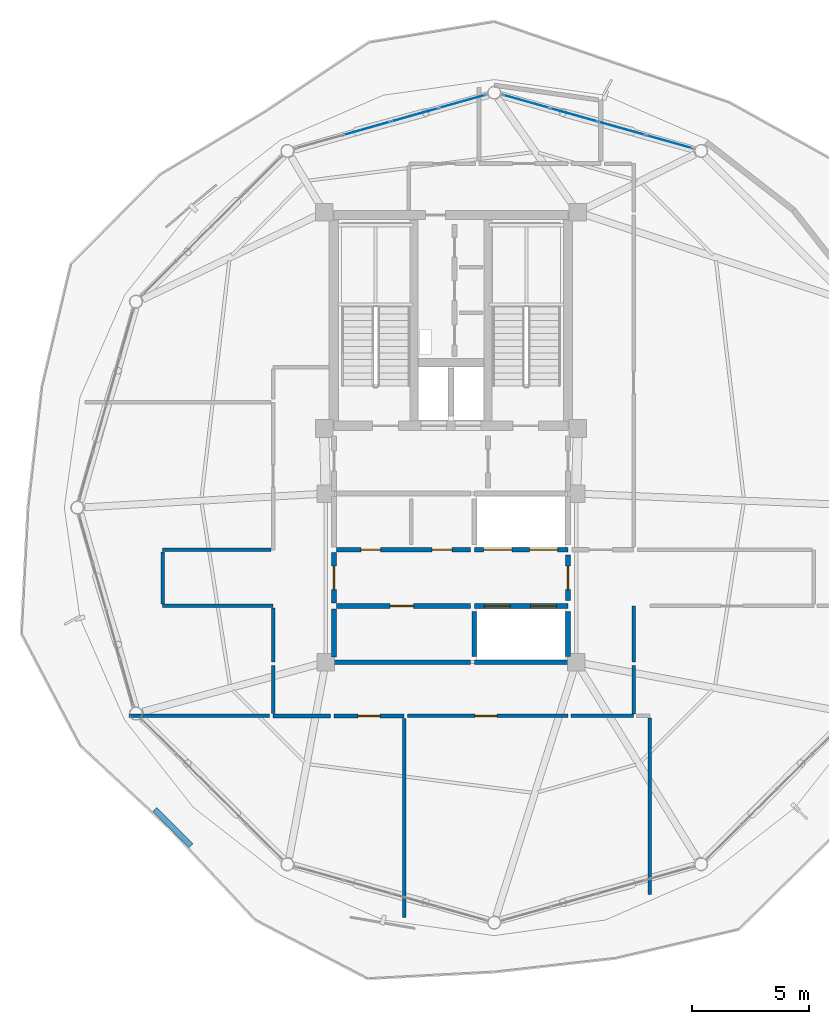
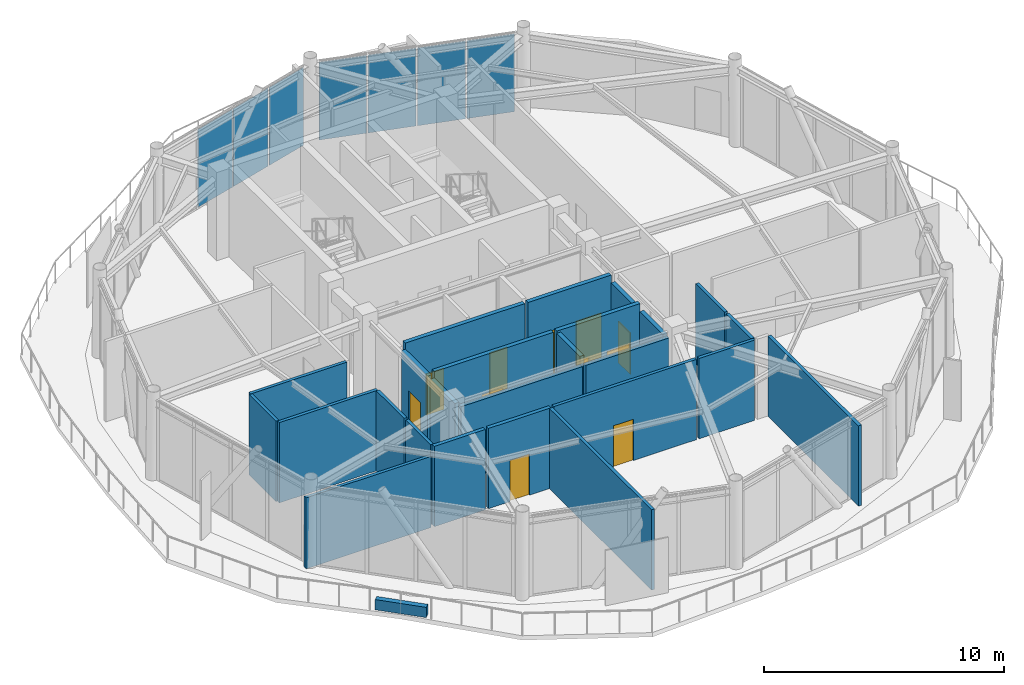
# One storey, part 18 of 24: 26 walls, 11 doors, 7 plates, 11 openings, 2 elements without a shape of their own.
"""IFC4 building model written with IfcOpenShell, lengths in metres."""

from ifc_helpers import new_model, si_unit, direction, frame, frame_2d, origin, origin_2d, place, context, subcontext, project, spatial, rectangle, extrude, source, transform, mapped, material, layer, layer_set, type_object, type_shapes, element, fill, aggregate, save


model = new_model("IFC4")

# Units and contexts
model_context = context("Model", 3, precision=1e-05, world=origin(), true_north=direction((0.0, 1.0)))
body_context = subcontext(model_context, "Body", "Model", "MODEL_VIEW")
ifc_project = project(units=[si_unit("LENGTHUNIT", "METRE"), si_unit("AREAUNIT", "SQUARE_METRE"), si_unit("VOLUMEUNIT", "CUBIC_METRE"), si_unit("PLANEANGLEUNIT", "RADIAN"), si_unit("MASSUNIT", "GRAM", prefix="KILO")], contexts=[model_context])

# Site, building, storey
site_placement = place(None, origin())
site = spatial("IfcSite", under=ifc_project, at=site_placement, CompositionType="ELEMENT")
building_placement = place(site_placement, origin())
building = spatial("IfcBuilding", under=site, at=building_placement, Name="Varnakorn Sky Granary", CompositionType="ELEMENT")
storey_placement = place(building_placement, frame((0.0, 0.0, 285.0)))
storey = spatial("IfcBuildingStorey", under=building, at=storey_placement, Name="L73", CompositionType="ELEMENT", Elevation=285.0)

# Curtain wall, plates
ifc_material_1 = material(Name="Anodised Bronze Aluminium Alloy 6063-T6", Category="aluminium")
ifc_layer_1 = layer(ifc_material_1, 0.159912109375, Name="Anodised Bronze Aluminium Alloy 6063-T6")
ifc_layer_set_1 = layer_set([ifc_layer_1], Name="Anodised Bronze Aluminium Alloy 6063-T6")
curtain_wall_type = type_object("IfcCurtainWallType", Name="CW-OFF-1", PredefinedType="USERDEFINED", material=ifc_layer_set_1)
curtain_wall_1_placement = place(storey_placement, origin())
curtain_wall_1 = element("IfcCurtainWall", 1, at=curtain_wall_1_placement, inside=storey, type_object=curtain_wall_type, Name="Unitised Curtain Wall CW6 CW-L73-B03", ObjectType="CURTAIN WALL", PredefinedType="USERDEFINED")
ifc_material_2 = material(Name="Low-E Tinted Laminated Glass", Category="glass")
ifc_layer_2 = layer(ifc_material_2, 0.02392578125, Name="Low-E Tinted Laminated Glass")
ifc_layer_set_2 = layer_set([ifc_layer_2], Name="Low-E Tinted Laminated Glass")
plate_type = type_object("IfcPlateType", Name="CW-OFF-1-PNL", PredefinedType="CURTAIN_PANEL")
shared_shape_1 = source(origin(), body_context, "Body", "SweptSolid", [
    extrude(rectangle(XDim=2.029296875, YDim=0.02392578125, at=origin_2d()), origin(), (0.0, 0.0, 1.0), 3.949951171875),
])
plate_1_placement = place(storey_placement, frame((6.2158203125, 17.348876953125, 0.06494140625), z_axis=(0.0, 0.0, 1.0), x_axis=(0.962474477397, -0.271372217369, 0.0)))
plate_1 = element("IfcPlate", 2, at=plate_1_placement, type_object=plate_type, material=ifc_layer_set_2, Name="CW6 vision glazing unit 1.1", PredefinedType="CURTAIN_PANEL", context=body_context, shape_type="MappedRepresentation", body=[
    mapped(shared_shape_1, transform((0.0, 0.0, 0.0), x_axis=(1.0, 0.0, 0.0), y_axis=(0.0, 1.0, 0.0), z_axis=(0.0, 0.0, 1.0), scale=1.0)),
])
plate_2_placement = place(storey_placement, frame((12.32568359375, 15.626220703125, 0.06494140625), z_axis=(0.0, 0.0, 1.0), x_axis=(0.962474477397, -0.271372217369, 0.0)))
plate_2 = element("IfcPlate", 3, at=plate_2_placement, type_object=plate_type, material=ifc_layer_set_2, Name="CW6 vision glazing unit 4.1", PredefinedType="CURTAIN_PANEL", context=body_context, shape_type="MappedRepresentation", body=[
    mapped(shared_shape_1, transform((0.0, 0.0, 0.0), x_axis=(1.0, 0.0, 0.0), y_axis=(0.0, 1.0, 0.0), z_axis=(0.0, 0.0, 1.0), scale=1.0)),
])

# Curtain wall, plate
curtain_wall_2_placement = place(storey_placement, origin())
curtain_wall_2 = element("IfcCurtainWall", 4, at=curtain_wall_2_placement, inside=storey, type_object=curtain_wall_type, Name="Unitised Curtain Wall CW6 CW-L73-B04", ObjectType="CURTAIN WALL", PredefinedType="USERDEFINED")
plate_3_placement = place(storey_placement, frame((3.484130859375, 17.348876953125, 0.06494140625), z_axis=(0.0, 0.0, 1.0), x_axis=(0.962474477397, 0.271372217369, 0.0)))
plate_3 = element("IfcPlate", 5, at=plate_3_placement, type_object=plate_type, material=ifc_layer_set_2, Name="CW6 vision glazing unit 4.1", PredefinedType="CURTAIN_PANEL", context=body_context, shape_type="MappedRepresentation", body=[
    mapped(shared_shape_1, transform((0.0, 0.0, 0.0), x_axis=(1.0, 0.0, 0.0), y_axis=(0.0, 1.0, 0.0), z_axis=(0.0, 0.0, 1.0), scale=1.0)),
])

# Plate
ifc_material_3 = material(Name="Opaque Insulated Aluminium Shadow-Box Unit", Category="aluminium")
ifc_layer_3 = layer(ifc_material_3, 0.02392578125, Name="Opaque Insulated Aluminium Shadow-Box Unit")
ifc_layer_set_3 = layer_set([ifc_layer_3], Name="Opaque Insulated Aluminium Shadow-Box Unit")
shared_shape_2 = source(origin(), body_context, "Body", "SweptSolid", [
    extrude(rectangle(XDim=2.061767578125, YDim=0.02392578125, at=origin_2d()), origin(), (0.0, 0.0, 1.0), 3.949951171875),
])
type_shapes(plate_type, [shared_shape_1, shared_shape_2])
plate_4_placement = place(storey_placement, frame((8.247314453125, 16.776123046875, 0.06494140625), z_axis=(0.0, 0.0, 1.0), x_axis=(0.962474477397, -0.271372217369, 0.0)))
plate_4 = element("IfcPlate", 6, at=plate_4_placement, type_object=plate_type, material=ifc_layer_set_3, Name="CW6 opaque insulated shadow-box unit 2.1", PredefinedType="CURTAIN_PANEL", context=body_context, shape_type="MappedRepresentation", body=[
    mapped(shared_shape_2, transform((0.0, 0.0, 0.0), x_axis=(1.0, 0.0, 0.0), y_axis=(0.0, 1.0, 0.0), z_axis=(0.0, 0.0, 1.0), scale=1.0)),
])

plate_5_placement = place(storey_placement, frame((10.294189453125, 16.198974609375, 0.06494140625), z_axis=(0.0, 0.0, 1.0), x_axis=(0.962474477397, -0.271372217369, 0.0)))
plate_5 = element("IfcPlate", 7, at=plate_5_placement, type_object=plate_type, material=ifc_layer_set_3, Name="CW6 opaque insulated shadow-box unit 3.1", PredefinedType="CURTAIN_PANEL", context=body_context, shape_type="MappedRepresentation", body=[
    mapped(shared_shape_2, transform((0.0, 0.0, 0.0), x_axis=(1.0, 0.0, 0.0), y_axis=(0.0, 1.0, 0.0), z_axis=(0.0, 0.0, 1.0), scale=1.0)),
])

aggregate(curtain_wall_1, [plate_1, plate_4, plate_5, plate_2])

plate_6_placement = place(storey_placement, frame((-0.59423828125, 16.198974609375, 0.06494140625), z_axis=(0.0, 0.0, 1.0), x_axis=(0.962474477397, 0.271372217369, 0.0)))
plate_6 = element("IfcPlate", 8, at=plate_6_placement, type_object=plate_type, material=ifc_layer_set_3, Name="CW6 opaque insulated shadow-box unit 2.1", PredefinedType="CURTAIN_PANEL", context=body_context, shape_type="MappedRepresentation", body=[
    mapped(shared_shape_2, transform((0.0, 0.0, 0.0), x_axis=(1.0, 0.0, 0.0), y_axis=(0.0, 1.0, 0.0), z_axis=(0.0, 0.0, 1.0), scale=1.0)),
])

plate_7_placement = place(storey_placement, frame((1.45263671875, 16.776123046875, 0.06494140625), z_axis=(0.0, 0.0, 1.0), x_axis=(0.962474477397, 0.271372217369, 0.0)))
plate_7 = element("IfcPlate", 9, at=plate_7_placement, type_object=plate_type, material=ifc_layer_set_3, Name="CW6 opaque insulated shadow-box unit 3.1", PredefinedType="CURTAIN_PANEL", context=body_context, shape_type="MappedRepresentation", body=[
    mapped(shared_shape_2, transform((0.0, 0.0, 0.0), x_axis=(1.0, 0.0, 0.0), y_axis=(0.0, 1.0, 0.0), z_axis=(0.0, 0.0, 1.0), scale=1.0)),
])

aggregate(curtain_wall_2, [plate_6, plate_7, plate_3])

# Wall, opening, door
ifc_material_4 = material(Name="Autoclaved Aerated Concrete Blockwork", Category="masonry")
ifc_layer_4 = layer(ifc_material_4, 0.199951171875, Name="Autoclaved Aerated Concrete Blockwork")
ifc_layer_set_4 = layer_set([ifc_layer_4], Name="Autoclaved Aerated Concrete Blockwork")
wall_type_1 = type_object("IfcWallType", Name="WT-FIRE-200", PredefinedType="MOVABLE", material=ifc_layer_set_4)
wall_1_placement = place(storey_placement, frame((-2.0, -4.080078125, 0.0), z_axis=(0.0, 0.0, 1.0), x_axis=(0.0, 1.0, 0.0)))
wall_1 = element("IfcWall", 10, at=wall_1_placement, inside=storey, type_object=wall_type_1, Name="Interior Partition Wall L73-014", PredefinedType="MOVABLE", context=body_context, shape_type="SweptSolid", body=[
    extrude(rectangle(XDim=2.16015625, YDim=0.199951171875, at=frame_2d((1.080078125, 0.0))), origin(), (0.0, 0.0, 1.0), 3.7919921875),
])
opening_1_placement = place(wall_1_placement, frame((0.580078125, 0.0, 0.0)))
opening_1 = element("IfcOpeningElement", 11, at=opening_1_placement, cuts=wall_1, Name="Opening FD-60", PredefinedType="OPENING", context=body_context, shape_type="SweptSolid", body=[
    extrude(rectangle(XDim=1.0, YDim=2.10009765625, at=frame_2d((0.5, 1.050048828125))), frame((0.0, 0.10986328125, 0.0), z_axis=(0.0, -1.0, 0.0), x_axis=(1.0, 0.0, 0.0)), (0.0, 0.0, 1.0), 0.219970703125),
])
ifc_material_5 = material(Name="Acoustic Timber Fire Leaf", Category="wood")
door_type_1 = type_object("IfcDoorType", Name="DR-FD60-1000", OperationType="NOTDEFINED", PredefinedType="DOOR", material=ifc_material_5)
door_1_placement = place(opening_1_placement, origin())
door_1 = element("IfcDoor", 12, at=door_1_placement, inside=storey, type_object=door_type_1, Name="Interior Door L73-014-1", OperationType="SINGLE_SWING_LEFT", OverallHeight=2.10009765625, OverallWidth=1.0, PredefinedType="DOOR", context=body_context, shape_type="SweptSolid", body=[
    extrude(rectangle(XDim=1.0, YDim=2.10009765625, at=frame_2d((0.5, 1.050048828125))), frame((0.0, 0.02490234375, 0.0), z_axis=(0.0, -1.0, 0.0), x_axis=(1.0, 0.0, 0.0)), (0.0, 0.0, 1.0), 0.050048828125),
])
fill(opening_1, door_1)

wall_2_placement = place(storey_placement, frame((8.0, -3.969970703125, 0.0), z_axis=(0.0, 0.0, 1.0), x_axis=(0.0, 1.0, 0.0)))
wall_2 = element("IfcWall", 13, at=wall_2_placement, inside=storey, type_object=wall_type_1, Name="Interior Partition Wall L73-015", PredefinedType="MOVABLE", context=body_context, shape_type="SweptSolid", body=[
    extrude(rectangle(XDim=1.93994140625, YDim=0.199951171875, at=frame_2d((0.969970703125, 0.0))), origin(), (0.0, 0.0, 1.0), 3.7919921875),
])
opening_2_placement = place(wall_2_placement, frame((0.469970703125, 0.0, 0.0)))
opening_2 = element("IfcOpeningElement", 14, at=opening_2_placement, cuts=wall_2, Name="Opening FD-60", PredefinedType="OPENING", context=body_context, shape_type="SweptSolid", body=[
    extrude(rectangle(XDim=1.0, YDim=2.10009765625, at=frame_2d((0.5, 1.050048828125))), frame((0.0, 0.10986328125, 0.0), z_axis=(0.0, -1.0, 0.0), x_axis=(1.0, 0.0, 0.0)), (0.0, 0.0, 1.0), 0.219970703125),
])
door_2_placement = place(opening_2_placement, origin())
door_2 = element("IfcDoor", 15, at=door_2_placement, inside=storey, type_object=door_type_1, Name="Interior Door L73-015-1", OperationType="SINGLE_SWING_RIGHT", OverallHeight=2.10009765625, OverallWidth=1.0, PredefinedType="DOOR", context=body_context, shape_type="SweptSolid", body=[
    extrude(rectangle(XDim=1.0, YDim=2.10009765625, at=frame_2d((0.5, 1.050048828125))), frame((0.0, 0.02490234375, 0.0), z_axis=(0.0, -1.0, 0.0), x_axis=(1.0, 0.0, 0.0)), (0.0, 0.0, 1.0), 0.050048828125),
])
fill(opening_2, door_2)

# Wall, openings, doors
wall_3_placement = place(storey_placement, frame((-1.889892578125, -1.800048828125, 0.0), z_axis=(0.0, 0.0, 1.0), x_axis=(1.0, 0.0, 0.0)))
wall_3 = element("IfcWall", 16, at=wall_3_placement, inside=storey, type_object=wall_type_1, Name="Interior Partition Wall L73-016", PredefinedType="MOVABLE", context=body_context, shape_type="SweptSolid", body=[
    extrude(rectangle(XDim=5.72998046875, YDim=0.199951171875, at=frame_2d((2.864990234375, 0.0))), origin(), (0.0, 0.0, 1.0), 4.080078125),
])
opening_3_placement = place(wall_3_placement, frame((1.0400390625, 0.0, 0.0)))
opening_3 = element("IfcOpeningElement", 17, at=opening_3_placement, cuts=wall_3, Name="Opening FD-60N", PredefinedType="OPENING", context=body_context, shape_type="SweptSolid", body=[
    extrude(rectangle(XDim=0.85009765625, YDim=2.10009765625, at=frame_2d((0.425048828125, 1.050048828125))), frame((0.0, 0.10986328125, 0.0), z_axis=(0.0, -1.0, 0.0), x_axis=(1.0, 0.0, 0.0)), (0.0, 0.0, 1.0), 0.219970703125),
])
opening_4_placement = place(wall_3_placement, frame((4.090087890625, 0.0, 0.0)))
opening_4 = element("IfcOpeningElement", 18, at=opening_4_placement, cuts=wall_3, Name="Opening FD-60N", PredefinedType="OPENING", context=body_context, shape_type="SweptSolid", body=[
    extrude(rectangle(XDim=0.85009765625, YDim=2.10009765625, at=frame_2d((0.425048828125, 1.050048828125))), frame((0.0, 0.10986328125, 0.0), z_axis=(0.0, -1.0, 0.0), x_axis=(1.0, 0.0, 0.0)), (0.0, 0.0, 1.0), 0.219970703125),
])
door_type_2 = type_object("IfcDoorType", Name="DR-FD60-850", OperationType="NOTDEFINED", PredefinedType="DOOR", material=ifc_material_5)
door_3_placement = place(opening_3_placement, origin())
door_3 = element("IfcDoor", 19, at=door_3_placement, inside=storey, type_object=door_type_2, Name="Interior Door L73-016-1", OperationType="SINGLE_SWING_LEFT", OverallHeight=2.10009765625, OverallWidth=0.85009765625, PredefinedType="DOOR", context=body_context, shape_type="SweptSolid", body=[
    extrude(rectangle(XDim=0.85009765625, YDim=2.10009765625, at=frame_2d((0.425048828125, 1.050048828125))), frame((0.0, 0.02490234375, 0.0), z_axis=(0.0, -1.0, 0.0), x_axis=(1.0, 0.0, 0.0)), (0.0, 0.0, 1.0), 0.050048828125),
])
fill(opening_3, door_3)
door_4_placement = place(opening_4_placement, origin())
door_4 = element("IfcDoor", 20, at=door_4_placement, inside=storey, type_object=door_type_2, Name="Interior Door L73-016-2", OperationType="SINGLE_SWING_RIGHT", OverallHeight=2.10009765625, OverallWidth=0.85009765625, PredefinedType="DOOR", context=body_context, shape_type="SweptSolid", body=[
    extrude(rectangle(XDim=0.85009765625, YDim=2.10009765625, at=frame_2d((0.425048828125, 1.050048828125))), frame((0.0, 0.02490234375, 0.0), z_axis=(0.0, -1.0, 0.0), x_axis=(1.0, 0.0, 0.0)), (0.0, 0.0, 1.0), 0.050048828125),
])
fill(opening_4, door_4)

# Wall, opening, door
wall_4_placement = place(storey_placement, frame((-1.889892578125, -4.199951171875, 0.0), z_axis=(0.0, 0.0, 1.0), x_axis=(1.0, 0.0, 0.0)))
wall_4 = element("IfcWall", 21, at=wall_4_placement, inside=storey, type_object=wall_type_1, Name="Interior Partition Wall L73-017", PredefinedType="MOVABLE", context=body_context, shape_type="SweptSolid", body=[
    extrude(rectangle(XDim=5.72998046875, YDim=0.199951171875, at=frame_2d((2.864990234375, 0.0))), origin(), (0.0, 0.0, 1.0), 4.080078125),
])
opening_5_placement = place(wall_4_placement, frame((2.2900390625, 0.0, 0.0)))
opening_5 = element("IfcOpeningElement", 22, at=opening_5_placement, cuts=wall_4, Name="Opening FD-60", PredefinedType="OPENING", context=body_context, shape_type="SweptSolid", body=[
    extrude(rectangle(XDim=1.0, YDim=2.10009765625, at=frame_2d((0.5, 1.050048828125))), frame((0.0, 0.10986328125, 0.0), z_axis=(0.0, -1.0, 0.0), x_axis=(1.0, 0.0, 0.0)), (0.0, 0.0, 1.0), 0.219970703125),
])
door_5_placement = place(opening_5_placement, origin())
door_5 = element("IfcDoor", 23, at=door_5_placement, inside=storey, type_object=door_type_1, Name="Interior Door L73-017-1", OperationType="SINGLE_SWING_LEFT", OverallHeight=2.10009765625, OverallWidth=1.0, PredefinedType="DOOR", context=body_context, shape_type="SweptSolid", body=[
    extrude(rectangle(XDim=1.0, YDim=2.10009765625, at=frame_2d((0.5, 1.050048828125))), frame((0.0, 0.02490234375, 0.0), z_axis=(0.0, -1.0, 0.0), x_axis=(1.0, 0.0, 0.0)), (0.0, 0.0, 1.0), 0.050048828125),
])
fill(opening_5, door_5)

# Walls
wall_5_placement = place(storey_placement, frame((-2.0, -6.60009765625, 0.0), z_axis=(0.0, 0.0, 1.0), x_axis=(1.0, 0.0, 0.0)))
element("IfcWall", 24, at=wall_5_placement, inside=storey, type_object=wall_type_1, Name="Interior Partition Wall L73-031", PredefinedType="MOVABLE", context=body_context, shape_type="SweptSolid", body=[
    extrude(rectangle(XDim=5.840087890625, YDim=0.199951171875, at=frame_2d((2.919921875, 0.0))), origin(), (0.0, 0.0, 1.0), 3.7919921875),
])
wall_6_placement = place(storey_placement, frame((-2.0, -6.3701171875, 0.0), z_axis=(0.0, 0.0, 1.0), x_axis=(0.0, 1.0, 0.0)))
element("IfcWall", 25, at=wall_6_placement, inside=storey, type_object=wall_type_1, Name="Interior Partition Wall L73-032", PredefinedType="MOVABLE", context=body_context, shape_type="SweptSolid", body=[
    extrude(rectangle(XDim=2.050048828125, YDim=0.199951171875, at=frame_2d((1.02490234375, 0.0))), origin(), (0.0, 0.0, 1.0), 3.7919921875),
])

# Wall, opening, door
ifc_material_6 = material(Name="Gypsum Plasterboard on Steel Stud", Category="steel")
ifc_layer_5 = layer(ifc_material_6, 0.14990234375, Name="Gypsum Plasterboard on Steel Stud")
ifc_layer_set_5 = layer_set([ifc_layer_5], Name="Gypsum Plasterboard on Steel Stud")
wall_type_2 = type_object("IfcWallType", Name="WT-PART-150", PredefinedType="PARTITIONING", material=ifc_layer_set_5)
wall_7_placement = place(storey_placement, frame((1.14990234375, -8.89990234375, 0.0), z_axis=(0.0, 0.0, 1.0), x_axis=(1.0, 0.0, 0.0)))
wall_7 = element("IfcWall", 26, at=wall_7_placement, inside=storey, type_object=wall_type_2, Name="Interior Partition Wall L73-021", PredefinedType="PARTITIONING", context=body_context, shape_type="SweptSolid", body=[
    extrude(rectangle(XDim=6.85009765625, YDim=0.14990234375, at=frame_2d((3.425048828125, 0.0))), origin(), (0.0, 0.0, 1.0), 4.080078125),
])
opening_6_placement = place(wall_7_placement, frame((2.875, 0.0, 0.0)))
opening_6 = element("IfcOpeningElement", 27, at=opening_6_placement, cuts=wall_7, Name="Opening ID-95", PredefinedType="OPENING", context=body_context, shape_type="SweptSolid", body=[
    extrude(rectangle(XDim=0.949951171875, YDim=2.10009765625, at=frame_2d((0.47509765625, 1.050048828125))), frame((0.0, 0.0849609375, 0.0), z_axis=(0.0, -1.0, 0.0), x_axis=(1.0, 0.0, 0.0)), (0.0, 0.0, 1.0), 0.169921875),
])
ifc_material_7 = material(Name="Solid-Core Teak Veneer Leaf", Category="timber")
door_type_3 = type_object("IfcDoorType", Name="DR-INT-950", OperationType="NOTDEFINED", PredefinedType="DOOR", material=ifc_material_7)
door_6_placement = place(opening_6_placement, origin())
door_6 = element("IfcDoor", 28, at=door_6_placement, inside=storey, type_object=door_type_3, Name="Interior Door L73-021-1", OperationType="SINGLE_SWING_LEFT", OverallHeight=2.10009765625, OverallWidth=0.949951171875, PredefinedType="DOOR", context=body_context, shape_type="SweptSolid", body=[
    extrude(rectangle(XDim=0.949951171875, YDim=2.10009765625, at=frame_2d((0.47509765625, 1.050048828125))), frame((0.0, 0.02490234375, 0.0), z_axis=(0.0, -1.0, 0.0), x_axis=(1.0, 0.0, 0.0)), (0.0, 0.0, 1.0), 0.050048828125),
])
fill(opening_6, door_6)

# Walls
wall_8_placement = place(storey_placement, frame((1.0, -9.0, 0.0), z_axis=(0.0, 0.0, 1.0), x_axis=(0.0, -1.0, 0.0)))
element("IfcWall", 29, at=wall_8_placement, inside=storey, type_object=wall_type_2, Name="Interior Partition Wall L73-035", PredefinedType="PARTITIONING", context=body_context, shape_type="SweptSolid", body=[
    extrude(rectangle(XDim=8.501953125, YDim=0.14990234375, at=frame_2d((4.2509765625, 0.0))), origin(), (0.0, 0.0, 1.0), 4.080078125),
])
wall_9_placement = place(storey_placement, frame((-10.756103515625, -8.89990234375, 0.0), z_axis=(0.0, 0.0, 1.0), x_axis=(1.0, 0.0, 0.0)))
element("IfcWall", 30, at=wall_9_placement, inside=storey, type_object=wall_type_2, Name="Interior Partition Wall L73-036", PredefinedType="PARTITIONING", context=body_context, shape_type="SweptSolid", body=[
    extrude(rectangle(XDim=6.006103515625, YDim=0.14990234375, at=frame_2d((3.0029296875, 0.0))), origin(), (0.0, 0.0, 1.0), 3.612060546875),
])
wall_10_placement = place(storey_placement, frame((8.135009765625, -8.89990234375, 0.0), z_axis=(0.0, 0.0, 1.0), x_axis=(1.0, 0.0, 0.0)))
element("IfcWall", 31, at=wall_10_placement, inside=storey, type_object=wall_type_2, Name="Interior Partition Wall L73-037", PredefinedType="PARTITIONING", context=body_context, shape_type="SweptSolid", body=[
    extrude(rectangle(XDim=2.6650390625, YDim=0.14990234375, at=frame_2d((1.33251953125, 0.0))), origin(), (0.0, 0.0, 1.0), 4.080078125),
])
wall_11_placement = place(storey_placement, frame((11.5, -8.985107421875, 0.0), z_axis=(0.0, 0.0, 1.0), x_axis=(0.0, -1.0, 0.0)))
element("IfcWall", 32, at=wall_11_placement, inside=storey, type_object=wall_type_2, Name="Interior Partition Wall L73-039", PredefinedType="PARTITIONING", context=body_context, shape_type="SweptSolid", body=[
    extrude(rectangle(XDim=7.544921875, YDim=0.14990234375, at=frame_2d((3.7724609375, 0.0))), origin(), (0.0, 0.0, 1.0), 4.080078125),
])
wall_12_placement = place(storey_placement, frame((10.800048828125, -6.60009765625, 0.0), z_axis=(0.0, 0.0, 1.0), x_axis=(0.0, 1.0, 0.0)))
element("IfcWall", 33, at=wall_12_placement, inside=storey, type_object=wall_type_2, Name="Interior Partition Wall L73-040", PredefinedType="PARTITIONING", context=body_context, shape_type="SweptSolid", body=[
    extrude(rectangle(XDim=2.400146484375, YDim=0.14990234375, at=frame_2d((1.2001953125, 0.0))), origin(), (0.0, 0.0, 1.0), 4.080078125),
])
wall_13_placement = place(storey_placement, frame((10.800048828125, -8.81494140625, 0.0), z_axis=(0.0, 0.0, 1.0), x_axis=(0.0, 1.0, 0.0)))
element("IfcWall", 34, at=wall_13_placement, inside=storey, type_object=wall_type_2, Name="Interior Partition Wall L73-041", PredefinedType="PARTITIONING", context=body_context, shape_type="SweptSolid", body=[
    extrude(rectangle(XDim=2.079833984375, YDim=0.14990234375, at=frame_2d((1.0400390625, 0.0))), origin(), (0.0, 0.0, 1.0), 4.080078125),
])
wall_14_placement = place(storey_placement, frame((-4.68505859375, -1.800048828125, 0.0), z_axis=(0.0, 0.0, 1.0), x_axis=(-1.0, 0.0, 0.0)))
element("IfcWall", 35, at=wall_14_placement, inside=storey, type_object=wall_type_2, Name="Interior Partition Wall L73-043", PredefinedType="PARTITIONING", context=body_context, shape_type="SweptSolid", body=[
    extrude(rectangle(XDim=4.633056640625, YDim=0.14990234375, at=frame_2d((2.31640625, 0.0))), origin(), (0.0, 0.0, 1.0), 4.080078125),
])
wall_15_placement = place(storey_placement, frame((-9.318115234375, -4.199951171875, 0.0), z_axis=(0.0, 0.0, 1.0), x_axis=(1.0, 0.0, 0.0)))
element("IfcWall", 36, at=wall_15_placement, inside=storey, type_object=wall_type_2, Name="Interior Partition Wall L73-044", PredefinedType="PARTITIONING", context=body_context, shape_type="SweptSolid", body=[
    extrude(rectangle(XDim=4.718017578125, YDim=0.14990234375, at=frame_2d((2.35888671875, 0.0))), origin(), (0.0, 0.0, 1.0), 4.080078125),
])
wall_16_placement = place(storey_placement, frame((-9.318115234375, -1.885009765625, 0.0), z_axis=(0.0, 0.0, 1.0), x_axis=(0.0, -1.0, 0.0)))
element("IfcWall", 37, at=wall_16_placement, inside=storey, type_object=wall_type_2, Name="Interior Partition Wall L73-045", PredefinedType="PARTITIONING", context=body_context, shape_type="SweptSolid", body=[
    extrude(rectangle(XDim=2.22998046875, YDim=0.14990234375, at=frame_2d((1.114990234375, 0.0))), origin(), (0.0, 0.0, 1.0), 4.080078125),
])
wall_17_placement = place(storey_placement, frame((-4.60009765625, -4.284912109375, 0.0), z_axis=(0.0, 0.0, 1.0), x_axis=(0.0, -1.0, 0.0)))
element("IfcWall", 38, at=wall_17_placement, inside=storey, type_object=wall_type_2, Name="Interior Partition Wall L73-046", PredefinedType="PARTITIONING", context=body_context, shape_type="SweptSolid", body=[
    extrude(rectangle(XDim=2.315185546875, YDim=0.14990234375, at=frame_2d((1.15771484375, 0.0))), origin(), (0.0, 0.0, 1.0), 4.080078125),
])
wall_18_placement = place(storey_placement, frame((-4.60009765625, -6.735107421875, 0.0), z_axis=(0.0, 0.0, 1.0), x_axis=(0.0, -1.0, 0.0)))
element("IfcWall", 39, at=wall_18_placement, inside=storey, type_object=wall_type_2, Name="Interior Partition Wall L73-047", PredefinedType="PARTITIONING", context=body_context, shape_type="SweptSolid", body=[
    extrude(rectangle(XDim=2.06494140625, YDim=0.14990234375, at=frame_2d((1.032470703125, 0.0))), origin(), (0.0, 0.0, 1.0), 4.080078125),
])

# Wall, opening, door
ifc_material_8 = material(Name="Moisture-Resistant Gypsum on Stud", Category="gypsum")
ifc_layer_6 = layer(ifc_material_8, 0.179931640625, Name="Moisture-Resistant Gypsum on Stud")
ifc_layer_set_6 = layer_set([ifc_layer_6], Name="Moisture-Resistant Gypsum on Stud")
wall_type_3 = type_object("IfcWallType", Name="WT-PLUMB-180", PredefinedType="PLUMBINGWALL", material=ifc_layer_set_6)
wall_19_placement = place(storey_placement, frame((-2.0, -8.89990234375, 0.0), z_axis=(0.0, 0.0, 1.0), x_axis=(1.0, 0.0, 0.0)))
wall_19 = element("IfcWall", 40, at=wall_19_placement, inside=storey, type_object=wall_type_3, Name="Interior Partition Wall L73-020", PredefinedType="PLUMBINGWALL", context=body_context, shape_type="SweptSolid", body=[
    extrude(rectangle(XDim=3.0, YDim=0.179931640625, at=frame_2d((1.5, 0.0))), origin(), (0.0, 0.0, 1.0), 4.080078125),
])
opening_7_placement = place(wall_19_placement, frame((1.02490234375, 0.0, 0.0)))
opening_7 = element("IfcOpeningElement", 41, at=opening_7_placement, cuts=wall_19, Name="Opening ID-95", PredefinedType="OPENING", context=body_context, shape_type="SweptSolid", body=[
    extrude(rectangle(XDim=0.949951171875, YDim=2.10009765625, at=frame_2d((0.47509765625, 1.050048828125))), frame((0.0, 0.10009765625, 0.0), z_axis=(0.0, -1.0, 0.0), x_axis=(1.0, 0.0, 0.0)), (0.0, 0.0, 1.0), 0.199951171875),
])
door_7_placement = place(opening_7_placement, origin())
door_7 = element("IfcDoor", 42, at=door_7_placement, inside=storey, type_object=door_type_3, Name="Interior Door L73-020-1", OperationType="SINGLE_SWING_RIGHT", OverallHeight=2.10009765625, OverallWidth=0.949951171875, PredefinedType="DOOR", context=body_context, shape_type="SweptSolid", body=[
    extrude(rectangle(XDim=0.949951171875, YDim=2.10009765625, at=frame_2d((0.47509765625, 1.050048828125))), frame((0.0, 0.02490234375, 0.0), z_axis=(0.0, -1.0, 0.0), x_axis=(1.0, 0.0, 0.0)), (0.0, 0.0, 1.0), 0.050048828125),
])
fill(opening_7, door_7)

# Wall
wall_20_placement = place(storey_placement, frame((-4.60009765625, -8.89990234375, 0.0), z_axis=(0.0, 0.0, 1.0), x_axis=(1.0, 0.0, 0.0)))
element("IfcWall", 43, at=wall_20_placement, inside=storey, type_object=wall_type_3, Name="Interior Partition Wall L73-034", PredefinedType="PLUMBINGWALL", context=body_context, shape_type="SweptSolid", body=[
    extrude(rectangle(XDim=2.4501953125, YDim=0.179931640625, at=frame_2d((1.22509765625, 0.0))), origin(), (0.0, 0.0, 1.0), 4.080078125),
])

# Wall, openings, doors
ifc_layer_7 = layer(ifc_material_4, 0.199951171875, Name="Autoclaved Aerated Concrete Blockwork")
ifc_layer_set_7 = layer_set([ifc_layer_7], Name="Autoclaved Aerated Concrete Blockwork")
wall_type_4 = type_object("IfcWallType", Name="WT-SHAFT-200", PredefinedType="SOLIDWALL", material=ifc_layer_set_7)
wall_21_placement = place(storey_placement, frame((4.0, -1.800048828125, 0.0), z_axis=(0.0, 0.0, 1.0), x_axis=(1.0, 0.0, 0.0)))
wall_21 = element("IfcWall", 44, at=wall_21_placement, inside=storey, type_object=wall_type_4, Name="Interior Partition Wall L73-003", PredefinedType="SOLIDWALL", context=body_context, shape_type="SweptSolid", body=[
    extrude(rectangle(XDim=4.0, YDim=0.199951171875, at=frame_2d((2.0, 0.0))), origin(), (0.0, 0.0, 1.0), 4.080078125),
])
opening_8_placement = place(wall_21_placement, frame((0.39990234375, 0.0, 0.0)))
opening_8 = element("IfcOpeningElement", 45, at=opening_8_placement, cuts=wall_21, Name="Opening LD-02", PredefinedType="OPENING", context=body_context, shape_type="SweptSolid", body=[
    extrude(rectangle(XDim=1.199951171875, YDim=2.25, at=frame_2d((0.60009765625, 1.125))), frame((0.0, 0.10986328125, 0.0), z_axis=(0.0, -1.0, 0.0), x_axis=(1.0, 0.0, 0.0)), (0.0, 0.0, 1.0), 0.219970703125),
])
opening_9_placement = place(wall_21_placement, frame((2.360107421875, 0.0, 0.0)))
opening_9 = element("IfcOpeningElement", 46, at=opening_9_placement, cuts=wall_21, Name="Opening LD-02", PredefinedType="OPENING", context=body_context, shape_type="SweptSolid", body=[
    extrude(rectangle(XDim=1.199951171875, YDim=2.25, at=frame_2d((0.60009765625, 1.125))), frame((0.0, 0.10986328125, 0.0), z_axis=(0.0, -1.0, 0.0), x_axis=(1.0, 0.0, 0.0)), (0.0, 0.0, 1.0), 0.219970703125),
])
ifc_material_9 = material(Name="Brushed Bronze Stainless Steel", Category="steel")
door_type_4 = type_object("IfcDoorType", Name="DR-LD-1200", OperationType="DOUBLE_DOOR_SLIDING", PredefinedType="DOOR", material=ifc_material_9)
door_8_placement = place(opening_8_placement, origin())
door_8 = element("IfcDoor", 47, at=door_8_placement, inside=storey, type_object=door_type_4, Name="Passenger Lift EL-OBS1 Sliding Landing Door L73", OperationType="DOUBLE_DOOR_SLIDING", OverallHeight=2.25, OverallWidth=1.199951171875, PredefinedType="DOOR", context=body_context, shape_type="SweptSolid", body=[
    extrude(rectangle(XDim=1.199951171875, YDim=2.25, at=frame_2d((0.60009765625, 1.125))), frame((0.0, 0.02490234375, 0.0), z_axis=(0.0, -1.0, 0.0), x_axis=(1.0, 0.0, 0.0)), (0.0, 0.0, 1.0), 0.050048828125),
])
fill(opening_8, door_8)
door_9_placement = place(opening_9_placement, origin())
door_9 = element("IfcDoor", 48, at=door_9_placement, inside=storey, type_object=door_type_4, Name="Passenger Lift EL-OBS2 Sliding Landing Door L73", OperationType="DOUBLE_DOOR_SLIDING", OverallHeight=2.25, OverallWidth=1.199951171875, PredefinedType="DOOR", context=body_context, shape_type="SweptSolid", body=[
    extrude(rectangle(XDim=1.199951171875, YDim=2.25, at=frame_2d((0.60009765625, 1.125))), frame((0.0, 0.02490234375, 0.0), z_axis=(0.0, -1.0, 0.0), x_axis=(1.0, 0.0, 0.0)), (0.0, 0.0, 1.0), 0.050048828125),
])
fill(opening_9, door_9)

wall_22_placement = place(storey_placement, frame((4.0, -4.199951171875, 0.0), z_axis=(0.0, 0.0, 1.0), x_axis=(1.0, 0.0, 0.0)))
wall_22 = element("IfcWall", 49, at=wall_22_placement, inside=storey, type_object=wall_type_4, Name="Interior Partition Wall L73-006", PredefinedType="SOLIDWALL", context=body_context, shape_type="SweptSolid", body=[
    extrude(rectangle(XDim=4.0, YDim=0.199951171875, at=frame_2d((2.0, 0.0))), origin(), (0.0, 0.0, 1.0), 4.080078125),
])
opening_10_placement = place(wall_22_placement, frame((0.429931640625, 0.0, 0.0)))
opening_10 = element("IfcOpeningElement", 50, at=opening_10_placement, cuts=wall_22, Name="Opening LD-01", PredefinedType="OPENING", context=body_context, shape_type="SweptSolid", body=[
    extrude(rectangle(XDim=1.10009765625, YDim=2.199951171875, at=frame_2d((0.550048828125, 1.10009765625))), frame((0.0, 0.10986328125, 0.0), z_axis=(0.0, -1.0, 0.0), x_axis=(1.0, 0.0, 0.0)), (0.0, 0.0, 1.0), 0.219970703125),
])
opening_11_placement = place(wall_22_placement, frame((2.39990234375, 0.0, 0.0)))
opening_11 = element("IfcOpeningElement", 51, at=opening_11_placement, cuts=wall_22, Name="Opening LD-01", PredefinedType="OPENING", context=body_context, shape_type="SweptSolid", body=[
    extrude(rectangle(XDim=1.10009765625, YDim=2.199951171875, at=frame_2d((0.550048828125, 1.10009765625))), frame((0.0, 0.10986328125, 0.0), z_axis=(0.0, -1.0, 0.0), x_axis=(1.0, 0.0, 0.0)), (0.0, 0.0, 1.0), 0.219970703125),
])
door_type_5 = type_object("IfcDoorType", Name="DR-LD-1100", OperationType="DOUBLE_DOOR_SLIDING", PredefinedType="DOOR", material=ifc_material_9)
door_10_placement = place(opening_10_placement, origin())
door_10 = element("IfcDoor", 52, at=door_10_placement, inside=storey, type_object=door_type_5, Name="Passenger Lift PL-H1 Sliding Landing Door L73", OperationType="DOUBLE_DOOR_SLIDING", OverallHeight=2.199951171875, OverallWidth=1.10009765625, PredefinedType="DOOR", context=body_context, shape_type="SweptSolid", body=[
    extrude(rectangle(XDim=1.10009765625, YDim=2.199951171875, at=frame_2d((0.550048828125, 1.10009765625))), frame((0.0, 0.02490234375, 0.0), z_axis=(0.0, -1.0, 0.0), x_axis=(1.0, 0.0, 0.0)), (0.0, 0.0, 1.0), 0.050048828125),
])
fill(opening_10, door_10)
door_11_placement = place(opening_11_placement, origin())
door_11 = element("IfcDoor", 53, at=door_11_placement, inside=storey, type_object=door_type_5, Name="Passenger Lift PL-H2 Sliding Landing Door L73", OperationType="DOUBLE_DOOR_SLIDING", OverallHeight=2.199951171875, OverallWidth=1.10009765625, PredefinedType="DOOR", context=body_context, shape_type="SweptSolid", body=[
    extrude(rectangle(XDim=1.10009765625, YDim=2.199951171875, at=frame_2d((0.550048828125, 1.10009765625))), frame((0.0, 0.02490234375, 0.0), z_axis=(0.0, -1.0, 0.0), x_axis=(1.0, 0.0, 0.0)), (0.0, 0.0, 1.0), 0.050048828125),
])
fill(opening_11, door_11)

# Walls
wall_23_placement = place(storey_placement, frame((4.0, -6.60009765625, 0.0), z_axis=(0.0, 0.0, 1.0), x_axis=(1.0, 0.0, 0.0)))
element("IfcWall", 54, at=wall_23_placement, inside=storey, type_object=wall_type_4, Name="Interior Partition Wall L73-007", PredefinedType="SOLIDWALL", context=body_context, shape_type="SweptSolid", body=[
    extrude(rectangle(XDim=4.0, YDim=0.199951171875, at=frame_2d((2.0, 0.0))), origin(), (0.0, 0.0, 1.0), 3.7919921875),
])
wall_24_placement = place(storey_placement, frame((4.0, -6.3701171875, 0.0), z_axis=(0.0, 0.0, 1.0), x_axis=(0.0, 1.0, 0.0)))
element("IfcWall", 55, at=wall_24_placement, inside=storey, type_object=wall_type_4, Name="Interior Partition Wall L73-008", PredefinedType="SOLIDWALL", context=body_context, shape_type="SweptSolid", body=[
    extrude(rectangle(XDim=1.940185546875, YDim=0.199951171875, at=frame_2d((0.97021484375, 0.0))), origin(), (0.0, 0.0, 1.0), 4.080078125),
])
wall_25_placement = place(storey_placement, frame((8.0, -6.3701171875, 0.0), z_axis=(0.0, 0.0, 1.0), x_axis=(0.0, 1.0, 0.0)))
element("IfcWall", 56, at=wall_25_placement, inside=storey, type_object=wall_type_4, Name="Interior Partition Wall L73-009", PredefinedType="SOLIDWALL", context=body_context, shape_type="SweptSolid", body=[
    extrude(rectangle(XDim=1.940185546875, YDim=0.199951171875, at=frame_2d((0.97021484375, 0.0))), origin(), (0.0, 0.0, 1.0), 3.7919921875),
])
ifc_material_10 = material(Name="Precast concrete C40/50", Category="concrete")
ifc_layer_8 = layer(ifc_material_10, 0.239990234375, Name="Precast concrete C40/50")
ifc_layer_set_8 = layer_set([ifc_layer_8], Name="Precast concrete C40/50")
wall_type_5 = type_object("IfcWallType", Name="WT-WP-PLN-240", PredefinedType="PARAPET", material=ifc_layer_set_8)
wall_26_placement = place(storey_placement, frame((-9.658447265625, -12.893310546875, 0.0), z_axis=(0.0, 0.0, 1.0), x_axis=(0.707106781187, -0.707106781187, 0.0)))
element("IfcWall", 57, at=wall_26_placement, inside=storey, type_object=wall_type_5, Name="Sky-Farm Hydroponic Planter Bed PLANTER L73", PredefinedType="PARAPET", context=body_context, shape_type="SweptSolid", body=[
    extrude(rectangle(XDim=2.199951171875, YDim=0.239990234375, at=frame_2d((1.10009765625, 0.0))), origin(), (0.0, 0.0, 1.0), 0.52001953125),
])

save(model, "model.ifc")
